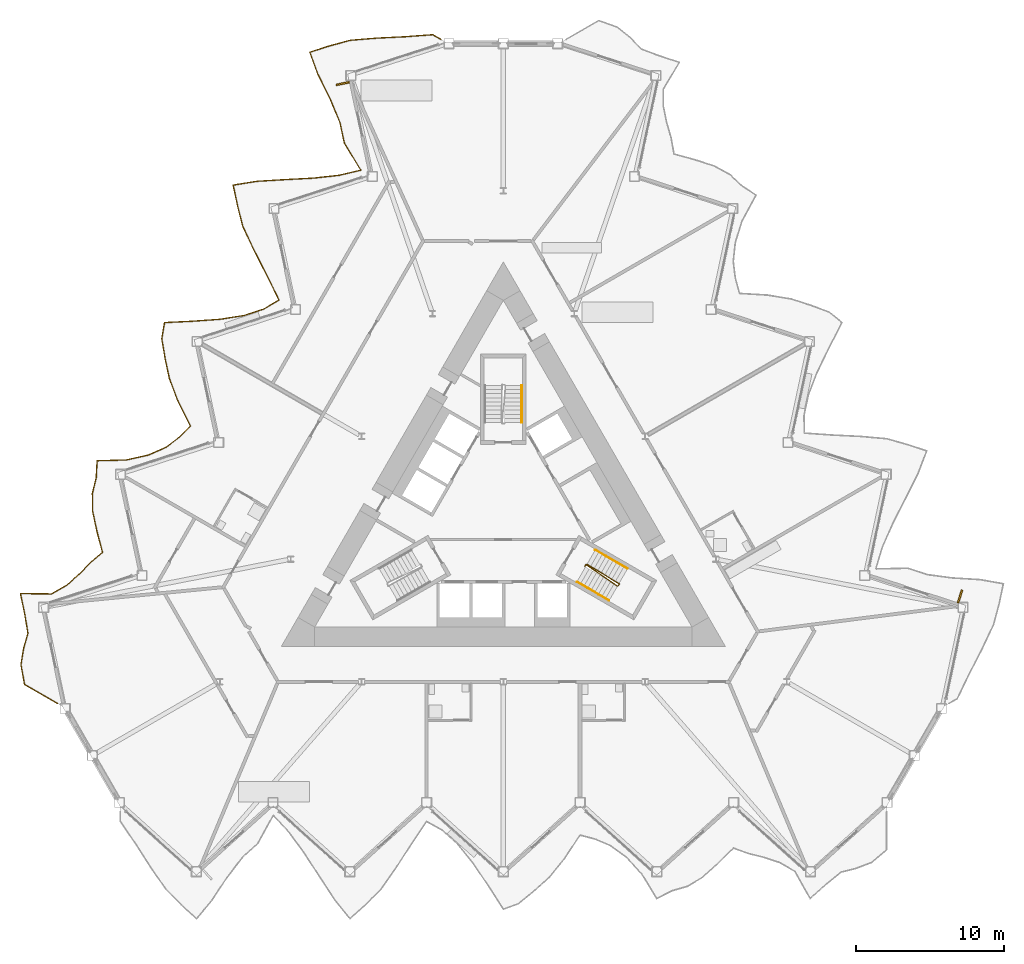
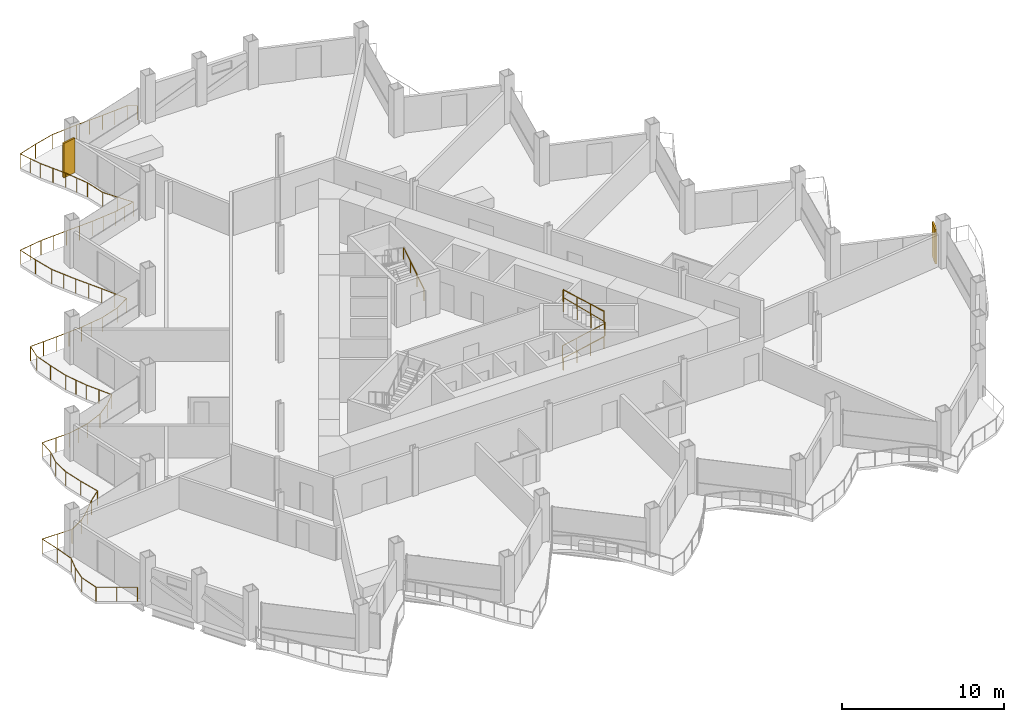
# One storey, part 20 of 23: 5 railings, 2 shading devices.
"""IFC4 building model written with IfcOpenShell, lengths in metres."""

from ifc_helpers import new_model, si_unit, direction, frame, origin, origin_2d, place, context, subcontext, project, spatial, rectangle, circle, extrude, material, layer, layer_set, type_object, element, save


model = new_model("IFC4")

# Units and contexts
model_context = context("Model", 3, precision=1e-05, world=origin(), true_north=direction((0.0, 1.0)))
body_context = subcontext(model_context, "Body", "Model", "MODEL_VIEW")
ifc_project = project(units=[si_unit("LENGTHUNIT", "METRE"), si_unit("AREAUNIT", "SQUARE_METRE"), si_unit("VOLUMEUNIT", "CUBIC_METRE"), si_unit("PLANEANGLEUNIT", "RADIAN"), si_unit("MASSUNIT", "GRAM", prefix="KILO")], contexts=[model_context])

# Site, building, storey
site_placement = place(None, origin())
site = spatial("IfcSite", under=ifc_project, at=site_placement, CompositionType="ELEMENT")
building_placement = place(site_placement, origin())
building = spatial("IfcBuilding", under=site, at=building_placement, Name="Cormorant Prow Tower", CompositionType="ELEMENT")
storey_placement = place(building_placement, frame((0.0, 0.0, 263.39990234375)))
storey = spatial("IfcBuildingStorey", under=building, at=storey_placement, Name="L59", CompositionType="ELEMENT", Elevation=263.39990234375)

# Railings
ifc_material_1 = material(Name="Aluminium 6063-T6", Category="aluminium")
railing_type_1 = type_object("IfcRailingType", Name="Balcony guard 1100", PredefinedType="GUARDRAIL", material=ifc_material_1)
railing_1_placement = place(storey_placement, frame((-4.221923828125, 32.35986328125, 0.0)))
element("IfcRailing", 1, at=railing_1_placement, inside=storey, type_object=railing_type_1, Name="Balcony guard WNW", PredefinedType="GUARDRAIL", context=body_context, shape_type="SweptSolid", body=[
    extrude(circle(Radius=0.02392578125, at=origin_2d()), frame((0.0, 0.0, 1.076171875), z_axis=(-0.866038622153, 0.499977104415, 0.0), x_axis=(-0.499977104415, -0.866038622153, 0.0)), (0.0, 0.0, 1.0), 0.63623046875),
    extrude(circle(Radius=0.02392578125, at=origin_2d()), frame((-0.551025390625, 0.318115234375, 1.076171875), z_axis=(-0.997252183706, -0.07408159079, 0.0), x_axis=(0.07408159079, -0.997252183706, 0.0)), (0.0, 0.0, 1.0), 1.84228515625),
    extrude(circle(Radius=0.02392578125, at=origin_2d()), frame((-2.38818359375, 0.181640625, 1.076171875), z_axis=(-0.998818248783, -0.048601500994, 0.0), x_axis=(0.048601500994, -0.998818248783, 0.0)), (0.0, 0.0, 1.0), 1.913818359375),
    extrude(circle(Radius=0.02392578125, at=origin_2d()), frame((-4.2998046875, 0.088623046875, 1.076171875), z_axis=(-0.996651256023, -0.081769639028, 0.0), x_axis=(0.081769639028, -0.996651256023, 0.0)), (0.0, 0.0, 1.0), 1.8212890625),
    extrude(circle(Radius=0.02392578125, at=origin_2d()), frame((-6.114990234375, -0.060302734375, 1.076171875), z_axis=(-0.966057905436, -0.258325614961, 0.0), x_axis=(0.258325614961, -0.966057905436, 0.0)), (0.0, 0.0, 1.0), 1.466796875),
    extrude(circle(Radius=0.02392578125, at=origin_2d()), frame((-7.531982421875, -0.439208984375, 1.076171875), z_axis=(-0.951071368511, -0.308971280217, 0.0), x_axis=(0.308971280217, -0.951071368511, 0.0)), (0.0, 0.0, 1.0), 1.394775390625),
    extrude(circle(Radius=0.02392578125, at=origin_2d()), frame((-8.8583984375, -0.8701171875, 1.076171875), z_axis=(0.342301918831, -0.939590015041, 0.0), x_axis=(0.939590015041, 0.342301918831, 0.0)), (0.0, 0.0, 1.0), 1.61328125),
    extrude(circle(Radius=0.02392578125, at=origin_2d()), frame((-8.30615234375, -2.385986328125, 1.076171875), z_axis=(0.445808104331, -0.89512855731, 0.0), x_axis=(0.89512855731, 0.445808104331, 0.0)), (0.0, 0.0, 1.0), 1.876708984375),
    extrude(circle(Radius=0.02392578125, at=origin_2d()), frame((-7.469482421875, -4.06591796875, 1.076171875), z_axis=(0.382127870627, -0.924109458068, 0.0), x_axis=(0.924109458068, 0.382127870627, 0.0)), (0.0, 0.0, 1.0), 1.701416015625),
    extrude(circle(Radius=0.02392578125, at=origin_2d()), frame((-6.8193359375, -5.63818359375, 1.076171875), z_axis=(0.207950868925, -0.97813927235, 0.0), x_axis=(0.97813927235, 0.207950868925, 0.0)), (0.0, 0.0, 1.0), 1.394775390625),
    extrude(circle(Radius=0.02392578125, at=origin_2d()), frame((-6.529296875, -7.00244140625, 1.076171875), z_axis=(0.517516055805, -0.855673496133, 0.0), x_axis=(0.855673496133, 0.517516055805, 0.0)), (0.0, 0.0, 1.0), 2.1494140625),
    extrude(circle(Radius=0.02392578125, at=origin_2d()), frame((-5.4169921875, -8.841552734375, 1.076171875), z_axis=(-0.973480606054, -0.228769555748, 0.0), x_axis=(0.228769555748, -0.973480606054, 0.0)), (0.0, 0.0, 1.0), 1.51318359375),
    extrude(circle(Radius=0.02392578125, at=origin_2d()), frame((-6.89013671875, -9.187744140625, 1.076171875), z_axis=(-0.994245905296, -0.107121798908, 0.0), x_axis=(0.107121798908, -0.994245905296, 0.0)), (0.0, 0.0, 1.0), 1.757080078125),
    extrude(circle(Radius=0.02392578125, at=origin_2d()), frame((-8.63720703125, -9.3759765625, 1.076171875), z_axis=(-0.998577796934, -0.053314008199, 0.0), x_axis=(0.053314008199, -0.998577796934, 0.0)), (0.0, 0.0, 1.0), 1.900390625),
    extrude(circle(Radius=0.02392578125, at=origin_2d()), frame((-10.534912109375, -9.477294921875, 1.076171875), z_axis=(-0.998269008558, -0.058813149479, 0.0), x_axis=(0.058813149479, -0.998269008558, 0.0)), (0.0, 0.0, 1.0), 1.884521484375),
    extrude(circle(Radius=0.02392578125, at=origin_2d()), frame((-12.416259765625, -9.588134765625, 1.076171875), z_axis=(-0.987578213313, -0.157128204312, 0.0), x_axis=(0.157128204312, -0.987578213313, 0.0)), (0.0, 0.0, 1.0), 1.6455078125),
    extrude(circle(Radius=0.02392578125, at=origin_2d()), frame((-14.041259765625, -9.8466796875, 1.076171875), z_axis=(0.207915270313, -0.978146839882, 0.0), x_axis=(0.978146839882, 0.207915270313, 0.0)), (0.0, 0.0, 1.0), 1.39501953125),
    extrude(circle(Radius=0.02392578125, at=origin_2d()), frame((-13.751220703125, -11.211181640625, 1.076171875), z_axis=(0.244007487503, -0.969773347769, 0.0), x_axis=(0.969773347769, 0.244007487503, 0.0)), (0.0, 0.0, 1.0), 1.44384765625),
    extrude(circle(Radius=0.02392578125, at=origin_2d()), frame((-13.39892578125, -12.611328125, 1.076171875), z_axis=(0.423018509945, -0.906121040614, 0.0), x_axis=(0.906121040614, 0.423018509945, 0.0)), (0.0, 0.0, 1.0), 1.80810546875),
    extrude(circle(Radius=0.02392578125, at=origin_2d()), frame((-12.634033203125, -14.249755859375, 1.076171875), z_axis=(0.456837444152, -0.88955019511, 0.0), x_axis=(0.88955019511, 0.456837444152, 0.0)), (0.0, 0.0, 1.0), 1.91259765625),
    extrude(circle(Radius=0.02392578125, at=origin_2d()), frame((-11.76025390625, -15.951171875, 1.076171875), z_axis=(0.438179627249, -0.898887431364, 0.0), x_axis=(0.898887431364, 0.438179627249, 0.0)), (0.0, 0.0, 1.0), 1.85302734375),
    extrude(circle(Radius=0.02392578125, at=origin_2d()), frame((-10.9482421875, -17.616943359375, 1.076171875), z_axis=(-0.85867024724, -0.51252844458, 0.0), x_axis=(0.51252844458, -0.85867024724, 0.0)), (0.0, 0.0, 1.0), 1.18701171875),
    extrude(circle(Radius=0.02392578125, at=origin_2d()), frame((-11.967529296875, -18.225341796875, 1.076171875), z_axis=(-0.950525193009, -0.310647481006, 0.0), x_axis=(0.310647481006, -0.950525193009, 0.0)), (0.0, 0.0, 1.0), 1.392578125),
    extrude(circle(Radius=0.02392578125, at=origin_2d()), frame((-13.291259765625, -18.657958984375, 1.076171875), z_axis=(-0.987845646319, -0.155438023173, 0.0), x_axis=(0.155438023173, -0.987845646319, 0.0)), (0.0, 0.0, 1.0), 1.649169921875),
    extrude(circle(Radius=0.02392578125, at=origin_2d()), frame((-14.92041015625, -18.914306640625, 1.076171875), z_axis=(-0.997487414246, -0.070843901792, 0.0), x_axis=(0.070843901792, -0.997487414246, 0.0)), (0.0, 0.0, 1.0), 1.8505859375),
    extrude(circle(Radius=0.02392578125, at=origin_2d()), frame((-16.766357421875, -19.04541015625, 1.076171875), z_axis=(-0.998798680168, -0.049002005006, 0.0), x_axis=(0.049002005006, -0.998798680168, 0.0)), (0.0, 0.0, 1.0), 1.9130859375),
    extrude(circle(Radius=0.02392578125, at=origin_2d()), frame((-18.67724609375, -19.13916015625, 1.076171875), z_axis=(-0.170240075116, -0.985402616611, 0.0), x_axis=(0.985402616611, -0.170240075116, 0.0)), (0.0, 0.0, 1.0), 1.104248046875),
    extrude(circle(Radius=0.02392578125, at=origin_2d()), frame((-18.865234375, -20.227294921875, 1.076171875), z_axis=(0.164870602885, -0.98631520535, 0.0), x_axis=(0.98631520535, 0.164870602885, 0.0)), (0.0, 0.0, 1.0), 1.343017578125),
    extrude(circle(Radius=0.02392578125, at=origin_2d()), frame((-18.643798828125, -21.552001953125, 1.076171875), z_axis=(0.207950868925, -0.97813927235, 0.0), x_axis=(0.97813927235, 0.207950868925, 0.0)), (0.0, 0.0, 1.0), 1.394775390625),
    extrude(circle(Radius=0.02392578125, at=origin_2d()), frame((-18.353759765625, -22.916259765625, 1.076171875), z_axis=(0.354110547545, -0.935203571484, 0.0), x_axis=(0.935203571484, 0.354110547545, 0.0)), (0.0, 0.0, 1.0), 1.63818359375),
    extrude(circle(Radius=0.02392578125, at=origin_2d()), frame((-17.773681640625, -24.4482421875, 1.076171875), z_axis=(0.447628498472, -0.894219619196, 0.0), x_axis=(0.894219619196, 0.447628498472, 0.0)), (0.0, 0.0, 1.0), 1.8828125),
    extrude(circle(Radius=0.02392578125, at=origin_2d()), frame((-16.930908203125, -26.1318359375, 1.076171875), z_axis=(-0.70368148947, -0.710515560264, 0.0), x_axis=(0.710515560264, -0.70368148947, 0.0)), (0.0, 0.0, 1.0), 1.07177734375),
    extrude(circle(Radius=0.02392578125, at=origin_2d()), frame((-17.68505859375, -26.893310546875, 1.076171875), z_axis=(-0.80023383706, -0.599688090614, 0.0), x_axis=(0.599688090614, -0.80023383706, 0.0)), (0.0, 0.0, 1.0), 1.127197265625),
    extrude(circle(Radius=0.02392578125, at=origin_2d()), frame((-18.587158203125, -27.5693359375, 1.076171875), z_axis=(-0.914742173533, -0.404038062514, 0.0), x_axis=(0.404038062514, -0.914742173533, 0.0)), (0.0, 0.0, 1.0), 1.283935546875),
    extrude(circle(Radius=0.02392578125, at=origin_2d()), frame((-19.76171875, -28.088134765625, 1.076171875), z_axis=(-0.975543857854, -0.219804871198, 0.0), x_axis=(0.219804871198, -0.975543857854, 0.0)), (0.0, 0.0, 1.0), 1.5283203125),
    extrude(circle(Radius=0.02392578125, at=origin_2d()), frame((-21.252685546875, -28.424072265625, 1.076171875), z_axis=(-0.999669650933, -0.025701926073, 0.0), x_axis=(0.025701926073, -0.999669650933, 0.0)), (0.0, 0.0, 1.0), 1.9853515625),
    extrude(circle(Radius=0.02392578125, at=origin_2d()), frame((-23.2373046875, -28.47509765625, 1.076171875), z_axis=(-0.05161179347, -0.99866722324, 0.0), x_axis=(0.99866722324, -0.05161179347, 0.0)), (0.0, 0.0, 1.0), 1.16357421875),
    extrude(circle(Radius=0.02392578125, at=origin_2d()), frame((-23.29736328125, -29.63720703125, 1.076171875), z_axis=(-0.239606484682, -0.970870090434, 0.0), x_axis=(0.970870090434, -0.239606484682, 0.0)), (0.0, 0.0, 1.0), 1.0791015625),
    extrude(circle(Radius=0.02392578125, at=origin_2d()), frame((-23.555908203125, -30.684814453125, 1.076171875), z_axis=(0.016162770239, -0.999869373898, 0.0), x_axis=(0.999869373898, 0.016162770239, 0.0)), (0.0, 0.0, 1.0), 1.20849609375),
    extrude(circle(Radius=0.02392578125, at=origin_2d()), frame((-23.536376953125, -31.89306640625, 1.076171875), z_axis=(0.207783386439, -0.978174863877, 0.0), x_axis=(0.978174863877, 0.207783386439, 0.0)), (0.0, 0.0, 1.0), 1.394775390625),
    extrude(circle(Radius=0.02392578125, at=origin_2d()), frame((-23.24658203125, -33.25732421875, 1.076171875), z_axis=(0.255915517347, -0.966699150709, 0.0), x_axis=(0.966699150709, 0.255915517347, 0.0)), (0.0, 0.0, 1.0), 1.46142578125),
    extrude(circle(Radius=0.02392578125, at=origin_2d()), frame((-22.87255859375, -34.670166015625, 1.076171875), z_axis=(-0.763604840308, -0.645683860615, 0.0), x_axis=(0.645683860615, -0.763604840308, 0.0)), (0.0, 0.0, 1.0), 1.101318359375),
    extrude(circle(Radius=0.02392578125, at=origin_2d()), frame((-23.713623046875, -35.38134765625, 1.076171875), z_axis=(-0.69419056016, -0.719791265704, 0.0), x_axis=(0.719791265704, -0.69419056016, 0.0)), (0.0, 0.0, 1.0), 1.068115234375),
    extrude(circle(Radius=0.02392578125, at=origin_2d()), frame((-24.455078125, -36.150146484375, 1.076171875), z_axis=(-0.745492878941, -0.666513591346, 0.0), x_axis=(0.666513591346, -0.745492878941, 0.0)), (0.0, 0.0, 1.0), 1.09130859375),
    extrude(circle(Radius=0.02392578125, at=origin_2d()), frame((-25.2685546875, -36.87744140625, 1.076171875), z_axis=(-0.865402994616, -0.501076498062, 0.0), x_axis=(0.501076498062, -0.865402994616, 0.0)), (0.0, 0.0, 1.0), 1.196044921875),
    extrude(circle(Radius=0.02392578125, at=origin_2d()), frame((-26.3037109375, -37.476806640625, 1.076171875), z_axis=(-0.999929423443, 0.011880577992, 0.0), x_axis=(-0.011880577992, -0.999929423443, 0.0)), (0.0, 0.0, 1.0), 2.11669921875),
    extrude(circle(Radius=0.02392578125, at=origin_2d()), frame((-28.420166015625, -37.45166015625, 1.076171875), z_axis=(0.207915270313, -0.978146839882, 0.0), x_axis=(0.978146839882, 0.207915270313, 0.0)), (0.0, 0.0, 1.0), 1.39501953125),
    extrude(circle(Radius=0.02392578125, at=origin_2d()), frame((-28.130126953125, -38.816162109375, 1.076171875), z_axis=(0.162804101421, -0.986658413313, 0.0), x_axis=(0.986658413313, 0.162804101421, 0.0)), (0.0, 0.0, 1.0), 1.340576171875),
    extrude(circle(Radius=0.02392578125, at=origin_2d()), frame((-27.911865234375, -40.138916015625, 1.076171875), z_axis=(-0.273906383343, -0.961756358525, 0.0), x_axis=(0.961756358525, -0.273906383343, 0.0)), (0.0, 0.0, 1.0), 1.068603515625),
    extrude(circle(Radius=0.02392578125, at=origin_2d()), frame((-28.20458984375, -41.166748046875, 1.076171875), z_axis=(-0.15961312276, -0.987179644767, 0.0), x_axis=(0.987179644767, -0.15961312276, 0.0)), (0.0, 0.0, 1.0), 1.10888671875),
    extrude(circle(Radius=0.02392578125, at=origin_2d()), frame((-28.381591796875, -42.261474609375, 1.076171875), z_axis=(0.178426863528, -0.98395317692, 0.0), x_axis=(0.98395317692, 0.178426863528, 0.0)), (0.0, 0.0, 1.0), 1.358642578125),
    extrude(circle(Radius=0.02392578125, at=origin_2d()), frame((-28.13916015625, -43.598388671875, 1.076171875), z_axis=(0.866030548046, -0.499991089772, 0.0), x_axis=(0.499991089772, 0.866030548046, 0.0)), (0.0, 0.0, 1.0), 2.56982421875),
    extrude(circle(Radius=0.02099609375, at=origin_2d()), origin(), (0.0, 0.0, 1.0), 1.052001953125),
    extrude(circle(Radius=0.02099609375, at=origin_2d()), frame((-0.551025390625, 0.318115234375, 0.0)), (0.0, 0.0, 1.0), 1.052001953125),
    extrude(circle(Radius=0.02099609375, at=origin_2d()), frame((-1.4697265625, 0.25, 0.0)), (0.0, 0.0, 1.0), 1.052001953125),
    extrude(circle(Radius=0.02099609375, at=origin_2d()), frame((-2.38818359375, 0.181640625, 0.0)), (0.0, 0.0, 1.0), 1.052001953125),
    extrude(circle(Radius=0.02099609375, at=origin_2d()), frame((-3.343994140625, 0.13525390625, 0.0)), (0.0, 0.0, 1.0), 1.052001953125),
    extrude(circle(Radius=0.02099609375, at=origin_2d()), frame((-4.2998046875, 0.088623046875, 0.0)), (0.0, 0.0, 1.0), 1.052001953125),
    extrude(circle(Radius=0.02099609375, at=origin_2d()), frame((-5.20751953125, 0.01416015625, 0.0)), (0.0, 0.0, 1.0), 1.052001953125),
    extrude(circle(Radius=0.02099609375, at=origin_2d()), frame((-6.114990234375, -0.060302734375, 0.0)), (0.0, 0.0, 1.0), 1.052001953125),
    extrude(circle(Radius=0.02099609375, at=origin_2d()), frame((-7.531982421875, -0.439208984375, 0.0)), (0.0, 0.0, 1.0), 1.052001953125),
    extrude(circle(Radius=0.02099609375, at=origin_2d()), frame((-8.8583984375, -0.8701171875, 0.0)), (0.0, 0.0, 1.0), 1.052001953125),
    extrude(circle(Radius=0.02099609375, at=origin_2d()), frame((-8.582275390625, -1.6279296875, 0.0)), (0.0, 0.0, 1.0), 1.052001953125),
    extrude(circle(Radius=0.02099609375, at=origin_2d()), frame((-8.30615234375, -2.385986328125, 0.0)), (0.0, 0.0, 1.0), 1.052001953125),
    extrude(circle(Radius=0.02099609375, at=origin_2d()), frame((-7.8876953125, -3.22607421875, 0.0)), (0.0, 0.0, 1.0), 1.052001953125),
    extrude(circle(Radius=0.02099609375, at=origin_2d()), frame((-7.469482421875, -4.06591796875, 0.0)), (0.0, 0.0, 1.0), 1.052001953125),
    extrude(circle(Radius=0.02099609375, at=origin_2d()), frame((-7.14453125, -4.85205078125, 0.0)), (0.0, 0.0, 1.0), 1.052001953125),
    extrude(circle(Radius=0.02099609375, at=origin_2d()), frame((-6.8193359375, -5.63818359375, 0.0)), (0.0, 0.0, 1.0), 1.052001953125),
    extrude(circle(Radius=0.02099609375, at=origin_2d()), frame((-6.529296875, -7.00244140625, 0.0)), (0.0, 0.0, 1.0), 1.052001953125),
    extrude(circle(Radius=0.02099609375, at=origin_2d()), frame((-5.97314453125, -7.921875, 0.0)), (0.0, 0.0, 1.0), 1.052001953125),
    extrude(circle(Radius=0.02099609375, at=origin_2d()), frame((-5.4169921875, -8.841552734375, 0.0)), (0.0, 0.0, 1.0), 1.052001953125),
    extrude(circle(Radius=0.02099609375, at=origin_2d()), frame((-6.153564453125, -9.0146484375, 0.0)), (0.0, 0.0, 1.0), 1.052001953125),
    extrude(circle(Radius=0.02099609375, at=origin_2d()), frame((-6.89013671875, -9.187744140625, 0.0)), (0.0, 0.0, 1.0), 1.052001953125),
    extrude(circle(Radius=0.02099609375, at=origin_2d()), frame((-7.763671875, -9.28173828125, 0.0)), (0.0, 0.0, 1.0), 1.052001953125),
    extrude(circle(Radius=0.02099609375, at=origin_2d()), frame((-8.63720703125, -9.3759765625, 0.0)), (0.0, 0.0, 1.0), 1.052001953125),
    extrude(circle(Radius=0.02099609375, at=origin_2d()), frame((-9.5859375, -9.4267578125, 0.0)), (0.0, 0.0, 1.0), 1.052001953125),
    extrude(circle(Radius=0.02099609375, at=origin_2d()), frame((-10.534912109375, -9.477294921875, 0.0)), (0.0, 0.0, 1.0), 1.052001953125),
    extrude(circle(Radius=0.02099609375, at=origin_2d()), frame((-11.4755859375, -9.53271484375, 0.0)), (0.0, 0.0, 1.0), 1.052001953125),
    extrude(circle(Radius=0.02099609375, at=origin_2d()), frame((-12.416259765625, -9.588134765625, 0.0)), (0.0, 0.0, 1.0), 1.052001953125),
    extrude(circle(Radius=0.02099609375, at=origin_2d()), frame((-13.228759765625, -9.71728515625, 0.0)), (0.0, 0.0, 1.0), 1.052001953125),
    extrude(circle(Radius=0.02099609375, at=origin_2d()), frame((-14.041259765625, -9.8466796875, 0.0)), (0.0, 0.0, 1.0), 1.052001953125),
    extrude(circle(Radius=0.02099609375, at=origin_2d()), frame((-13.751220703125, -11.211181640625, 0.0)), (0.0, 0.0, 1.0), 1.052001953125),
    extrude(circle(Radius=0.02099609375, at=origin_2d()), frame((-13.39892578125, -12.611328125, 0.0)), (0.0, 0.0, 1.0), 1.052001953125),
    extrude(circle(Radius=0.02099609375, at=origin_2d()), frame((-13.0166015625, -13.4306640625, 0.0)), (0.0, 0.0, 1.0), 1.052001953125),
    extrude(circle(Radius=0.02099609375, at=origin_2d()), frame((-12.634033203125, -14.249755859375, 0.0)), (0.0, 0.0, 1.0), 1.052001953125),
    extrude(circle(Radius=0.02099609375, at=origin_2d()), frame((-12.197265625, -15.1005859375, 0.0)), (0.0, 0.0, 1.0), 1.052001953125),
    extrude(circle(Radius=0.02099609375, at=origin_2d()), frame((-11.76025390625, -15.951171875, 0.0)), (0.0, 0.0, 1.0), 1.052001953125),
    extrude(circle(Radius=0.02099609375, at=origin_2d()), frame((-11.354248046875, -16.7841796875, 0.0)), (0.0, 0.0, 1.0), 1.052001953125),
    extrude(circle(Radius=0.02099609375, at=origin_2d()), frame((-10.9482421875, -17.616943359375, 0.0)), (0.0, 0.0, 1.0), 1.052001953125),
    extrude(circle(Radius=0.02099609375, at=origin_2d()), frame((-11.967529296875, -18.225341796875, 0.0)), (0.0, 0.0, 1.0), 1.052001953125),
    extrude(circle(Radius=0.02099609375, at=origin_2d()), frame((-13.291259765625, -18.657958984375, 0.0)), (0.0, 0.0, 1.0), 1.052001953125),
    extrude(circle(Radius=0.02099609375, at=origin_2d()), frame((-14.10595703125, -18.7861328125, 0.0)), (0.0, 0.0, 1.0), 1.052001953125),
    extrude(circle(Radius=0.02099609375, at=origin_2d()), frame((-14.92041015625, -18.914306640625, 0.0)), (0.0, 0.0, 1.0), 1.052001953125),
    extrude(circle(Radius=0.02099609375, at=origin_2d()), frame((-15.84326171875, -18.97998046875, 0.0)), (0.0, 0.0, 1.0), 1.052001953125),
    extrude(circle(Radius=0.02099609375, at=origin_2d()), frame((-16.766357421875, -19.04541015625, 0.0)), (0.0, 0.0, 1.0), 1.052001953125),
    extrude(circle(Radius=0.02099609375, at=origin_2d()), frame((-17.7216796875, -19.09228515625, 0.0)), (0.0, 0.0, 1.0), 1.052001953125),
    extrude(circle(Radius=0.02099609375, at=origin_2d()), frame((-18.67724609375, -19.13916015625, 0.0)), (0.0, 0.0, 1.0), 1.052001953125),
    extrude(circle(Radius=0.02099609375, at=origin_2d()), frame((-18.865234375, -20.227294921875, 0.0)), (0.0, 0.0, 1.0), 1.052001953125),
    extrude(circle(Radius=0.02099609375, at=origin_2d()), frame((-18.643798828125, -21.552001953125, 0.0)), (0.0, 0.0, 1.0), 1.052001953125),
    extrude(circle(Radius=0.02099609375, at=origin_2d()), frame((-18.353759765625, -22.916259765625, 0.0)), (0.0, 0.0, 1.0), 1.052001953125),
    extrude(circle(Radius=0.02099609375, at=origin_2d()), frame((-18.063720703125, -23.68212890625, 0.0)), (0.0, 0.0, 1.0), 1.052001953125),
    extrude(circle(Radius=0.02099609375, at=origin_2d()), frame((-17.773681640625, -24.4482421875, 0.0)), (0.0, 0.0, 1.0), 1.052001953125),
    extrude(circle(Radius=0.02099609375, at=origin_2d()), frame((-17.352294921875, -25.2900390625, 0.0)), (0.0, 0.0, 1.0), 1.052001953125),
    extrude(circle(Radius=0.02099609375, at=origin_2d()), frame((-16.930908203125, -26.1318359375, 0.0)), (0.0, 0.0, 1.0), 1.052001953125),
    extrude(circle(Radius=0.02099609375, at=origin_2d()), frame((-17.68505859375, -26.893310546875, 0.0)), (0.0, 0.0, 1.0), 1.052001953125),
    extrude(circle(Radius=0.02099609375, at=origin_2d()), frame((-18.587158203125, -27.5693359375, 0.0)), (0.0, 0.0, 1.0), 1.052001953125),
    extrude(circle(Radius=0.02099609375, at=origin_2d()), frame((-19.76171875, -28.088134765625, 0.0)), (0.0, 0.0, 1.0), 1.052001953125),
    extrude(circle(Radius=0.02099609375, at=origin_2d()), frame((-20.50732421875, -28.256103515625, 0.0)), (0.0, 0.0, 1.0), 1.052001953125),
    extrude(circle(Radius=0.02099609375, at=origin_2d()), frame((-21.252685546875, -28.424072265625, 0.0)), (0.0, 0.0, 1.0), 1.052001953125),
    extrude(circle(Radius=0.02099609375, at=origin_2d()), frame((-22.2451171875, -28.44970703125, 0.0)), (0.0, 0.0, 1.0), 1.052001953125),
    extrude(circle(Radius=0.02099609375, at=origin_2d()), frame((-23.2373046875, -28.47509765625, 0.0)), (0.0, 0.0, 1.0), 1.052001953125),
    extrude(circle(Radius=0.02099609375, at=origin_2d()), frame((-23.29736328125, -29.63720703125, 0.0)), (0.0, 0.0, 1.0), 1.052001953125),
    extrude(circle(Radius=0.02099609375, at=origin_2d()), frame((-23.555908203125, -30.684814453125, 0.0)), (0.0, 0.0, 1.0), 1.052001953125),
    extrude(circle(Radius=0.02099609375, at=origin_2d()), frame((-23.536376953125, -31.89306640625, 0.0)), (0.0, 0.0, 1.0), 1.052001953125),
    extrude(circle(Radius=0.02099609375, at=origin_2d()), frame((-23.24658203125, -33.25732421875, 0.0)), (0.0, 0.0, 1.0), 1.052001953125),
    extrude(circle(Radius=0.02099609375, at=origin_2d()), frame((-22.87255859375, -34.670166015625, 0.0)), (0.0, 0.0, 1.0), 1.052001953125),
    extrude(circle(Radius=0.02099609375, at=origin_2d()), frame((-23.713623046875, -35.38134765625, 0.0)), (0.0, 0.0, 1.0), 1.052001953125),
    extrude(circle(Radius=0.02099609375, at=origin_2d()), frame((-24.455078125, -36.150146484375, 0.0)), (0.0, 0.0, 1.0), 1.052001953125),
    extrude(circle(Radius=0.02099609375, at=origin_2d()), frame((-25.2685546875, -36.87744140625, 0.0)), (0.0, 0.0, 1.0), 1.052001953125),
    extrude(circle(Radius=0.02099609375, at=origin_2d()), frame((-26.3037109375, -37.476806640625, 0.0)), (0.0, 0.0, 1.0), 1.052001953125),
    extrude(circle(Radius=0.02099609375, at=origin_2d()), frame((-27.36181640625, -37.46435546875, 0.0)), (0.0, 0.0, 1.0), 1.052001953125),
    extrude(circle(Radius=0.02099609375, at=origin_2d()), frame((-28.420166015625, -37.45166015625, 0.0)), (0.0, 0.0, 1.0), 1.052001953125),
    extrude(circle(Radius=0.02099609375, at=origin_2d()), frame((-28.130126953125, -38.816162109375, 0.0)), (0.0, 0.0, 1.0), 1.052001953125),
    extrude(circle(Radius=0.02099609375, at=origin_2d()), frame((-27.911865234375, -40.138916015625, 0.0)), (0.0, 0.0, 1.0), 1.052001953125),
    extrude(circle(Radius=0.02099609375, at=origin_2d()), frame((-28.20458984375, -41.166748046875, 0.0)), (0.0, 0.0, 1.0), 1.052001953125),
    extrude(circle(Radius=0.02099609375, at=origin_2d()), frame((-28.381591796875, -42.261474609375, 0.0)), (0.0, 0.0, 1.0), 1.052001953125),
    extrude(circle(Radius=0.02099609375, at=origin_2d()), frame((-28.13916015625, -43.598388671875, 0.0)), (0.0, 0.0, 1.0), 1.052001953125),
    extrude(circle(Radius=0.02099609375, at=origin_2d()), frame((-27.0263671875, -44.24072265625, 0.0)), (0.0, 0.0, 1.0), 1.052001953125),
    extrude(circle(Radius=0.02099609375, at=origin_2d()), frame((-25.91357421875, -44.88330078125, 0.0)), (0.0, 0.0, 1.0), 1.052001953125),
])
ifc_material_2 = material(Name="Stainless steel", Category="steel")
railing_type_2 = type_object("IfcRailingType", Name="Stair guard 1100", PredefinedType="GUARDRAIL", material=ifc_material_2)
railing_2_placement = place(storey_placement, frame((5.510009765625, -3.267822265625, 0.0)))
element("IfcRailing", 2, at=railing_2_placement, inside=storey, type_object=railing_type_2, Name="L59 ST2 stair guard 1", PredefinedType="GUARDRAIL", context=body_context, shape_type="SweptSolid", body=[
    extrude(circle(Radius=0.02392578125, at=origin_2d()), frame((0.0, 0.0, 1.076171875), z_axis=(0.501036270542, 0.865426285481, 0.0), x_axis=(-0.865426285481, 0.501036270542, 0.0)), (0.0, 0.0, 1.0), 0.150146484375),
    extrude(circle(Radius=0.02392578125, at=origin_2d()), frame((0.0751953125, 0.1298828125, 1.076171875), z_axis=(0.676058237057, -0.463829066155, 0.572545070276), x_axis=(0.565732651216, 0.824588726183, 0.0)), (0.0, 0.0, 1.0), 3.14404296875),
    extrude(circle(Radius=0.02392578125, at=origin_2d()), frame((2.20068359375, -1.328369140625, 2.8759765625), z_axis=(0.695164929852, 0.718850276695, 0.0), x_axis=(-0.718850276695, 0.695164929852, 0.0)), (0.0, 0.0, 1.0), 0.2060546875),
    extrude(circle(Radius=0.02392578125, at=origin_2d()), frame((2.343994140625, -1.18017578125, 2.8759765625), z_axis=(-0.70127624584, 0.423301980654, 0.573608804147), x_axis=(-0.516770599887, -0.856123908726, 0.0)), (0.0, 0.0, 1.0), 3.13818359375),
    extrude(circle(Radius=0.02099609375, at=origin_2d()), origin(), (0.0, 0.0, 1.0), 1.052001953125),
    extrude(circle(Radius=0.02099609375, at=origin_2d()), frame((0.0751953125, 0.1298828125, 0.0)), (0.0, 0.0, 1.0), 1.052001953125),
    extrude(circle(Radius=0.02099609375, at=origin_2d()), frame((0.78369140625, -0.356201171875, 0.60009765625)), (0.0, 0.0, 1.0), 1.052001953125),
    extrude(circle(Radius=0.02099609375, at=origin_2d()), frame((1.4921875, -0.84228515625, 1.199951171875)), (0.0, 0.0, 1.0), 1.052001953125),
    extrude(circle(Radius=0.02099609375, at=origin_2d()), frame((2.20068359375, -1.328369140625, 1.800048828125)), (0.0, 0.0, 1.0), 1.052001953125),
    extrude(circle(Radius=0.02099609375, at=origin_2d()), frame((2.343994140625, -1.18017578125, 1.800048828125)), (0.0, 0.0, 1.0), 1.052001953125),
    extrude(circle(Radius=0.02099609375, at=origin_2d()), frame((1.6103515625, -0.7373046875, 2.400146484375)), (0.0, 0.0, 1.0), 1.052001953125),
    extrude(circle(Radius=0.02099609375, at=origin_2d()), frame((0.876953125, -0.294677734375, 3.0)), (0.0, 0.0, 1.0), 1.052001953125),
    extrude(circle(Radius=0.02099609375, at=origin_2d()), frame((0.143310546875, 0.148193359375, 3.60009765625)), (0.0, 0.0, 1.0), 1.052001953125),
])
ifc_material_3 = material(Name="Stainless steel", Category="steel")
railing_type_3 = type_object("IfcRailingType", Name="Stair handrail 900", PredefinedType="HANDRAIL", material=ifc_material_3)
railing_3_placement = place(storey_placement, frame((4.968994140625, -4.30517578125, 0.18017578125)))
element("IfcRailing", 3, at=railing_3_placement, inside=storey, type_object=railing_type_3, Name="L59 ST2 stair handrail 1", PredefinedType="HANDRAIL", context=body_context, shape_type="SweptSolid", body=[
    extrude(circle(Radius=0.02392578125, at=origin_2d()), frame((0.0, 0.0, 0.8759765625), z_axis=(0.72849590497, -0.42060268101, 0.54072830624), x_axis=(0.500004791531, 0.866022637375, 0.0)), (0.0, 0.0, 1.0), 2.99560546875),
    extrude(circle(Radius=0.02099609375, at=origin_2d()), origin(), (0.0, 0.0, 1.0), 0.851806640625),
    extrude(circle(Radius=0.02099609375, at=origin_2d()), frame((0.7275390625, -0.419921875, 0.5400390625)), (0.0, 0.0, 1.0), 0.851806640625),
    extrude(circle(Radius=0.02099609375, at=origin_2d()), frame((1.454833984375, -0.840087890625, 1.079833984375)), (0.0, 0.0, 1.0), 0.851806640625),
    extrude(circle(Radius=0.02099609375, at=origin_2d()), frame((2.182373046875, -1.260009765625, 1.619873046875)), (0.0, 0.0, 1.0), 0.851806640625),
])
railing_4_placement = place(storey_placement, frame((8.395263671875, -3.41064453125, 1.97998046875)))
element("IfcRailing", 4, at=railing_4_placement, inside=storey, type_object=railing_type_3, Name="L59 ST2 stair handrail 2", PredefinedType="HANDRAIL", context=body_context, shape_type="SweptSolid", body=[
    extrude(circle(Radius=0.02392578125, at=origin_2d()), frame((0.0, 0.0, 0.8759765625), z_axis=(-0.728463801763, 0.420584145978, 0.540785970299), x_axis=(-0.500004791531, -0.866022637375, 0.0)), (0.0, 0.0, 1.0), 2.995849609375),
    extrude(circle(Radius=0.02099609375, at=origin_2d()), origin(), (0.0, 0.0, 1.0), 0.851806640625),
    extrude(circle(Radius=0.02099609375, at=origin_2d()), frame((-0.7275390625, 0.419921875, 0.5400390625)), (0.0, 0.0, 1.0), 0.851806640625),
    extrude(circle(Radius=0.02099609375, at=origin_2d()), frame((-1.454833984375, 0.840087890625, 1.080078125)), (0.0, 0.0, 1.0), 0.851806640625),
    extrude(circle(Radius=0.02099609375, at=origin_2d()), frame((-2.182373046875, 1.260009765625, 1.6201171875)), (0.0, 0.0, 1.0), 0.851806640625),
])
railing_5_placement = place(storey_placement, frame((1.243896484375, 6.455810546875, 0.18017578125)))
element("IfcRailing", 5, at=railing_5_placement, inside=storey, type_object=railing_type_3, Name="L59 ST3 stair handrail 1", PredefinedType="HANDRAIL", context=body_context, shape_type="SweptSolid", body=[
    extrude(circle(Radius=0.02392578125, at=origin_2d()), frame((0.0, 0.0, 0.8759765625), z_axis=(0.0, 0.841199657755, 0.540724639528), x_axis=(-1.0, 0.0, 0.0)), (0.0, 0.0, 1.0), 2.995849609375),
    extrude(circle(Radius=0.02099609375, at=origin_2d()), origin(), (0.0, 0.0, 1.0), 0.851806640625),
    extrude(circle(Radius=0.02099609375, at=origin_2d()), frame((0.0, 0.840087890625, 0.5400390625)), (0.0, 0.0, 1.0), 0.851806640625),
    extrude(circle(Radius=0.02099609375, at=origin_2d()), frame((0.0, 1.679931640625, 1.079833984375)), (0.0, 0.0, 1.0), 0.851806640625),
    extrude(circle(Radius=0.02099609375, at=origin_2d()), frame((0.0, 2.52001953125, 1.619873046875)), (0.0, 0.0, 1.0), 0.851806640625),
])

# Shading devices
ifc_material_4 = material(Name="Terracotta", Category="masonry")
ifc_layer = layer(ifc_material_4, 0.1201171875)
ifc_layer_set = layer_set([ifc_layer], Name="Terracotta")
shading_device_type = type_object("IfcShadingDeviceType", Name="Terracotta baguette fin 120x900x2600", PredefinedType="USERDEFINED", material=ifc_layer_set)
for number, where, z_axis, x_axis, name in (
    (6, (30.86181640625, -5.29052734375, 0.0), (0.0, 0.0, 1.0), (-0.951056515173, 0.309016997828, 0.0), "Baguette fin ENE01"),
    (7, (-10.84912109375, 29.372314453125, 0.0), (0.0, 0.0, 1.0), (0.20791160988, -0.978147617938, 0.0), "Baguette fin WNW01"),
):
    element("IfcShadingDevice", number, at=place(storey_placement, frame(where, z_axis=z_axis, x_axis=x_axis)), inside=storey, type_object=shading_device_type, Name=name, ObjectType="BAGUETTE", PredefinedType="USERDEFINED", context=body_context, shape_type="SweptSolid", body=[
        extrude(rectangle(XDim=0.1201171875, YDim=0.89990234375, at=origin_2d()), origin(), (0.0, 0.0, 1.0), 2.60009765625),
    ])

save(model, "model.ifc")
